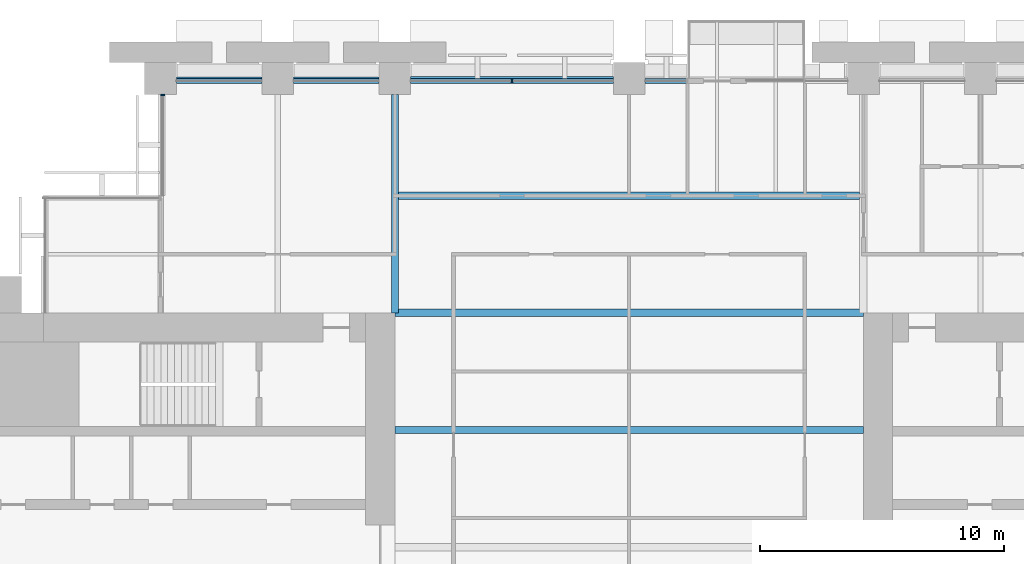
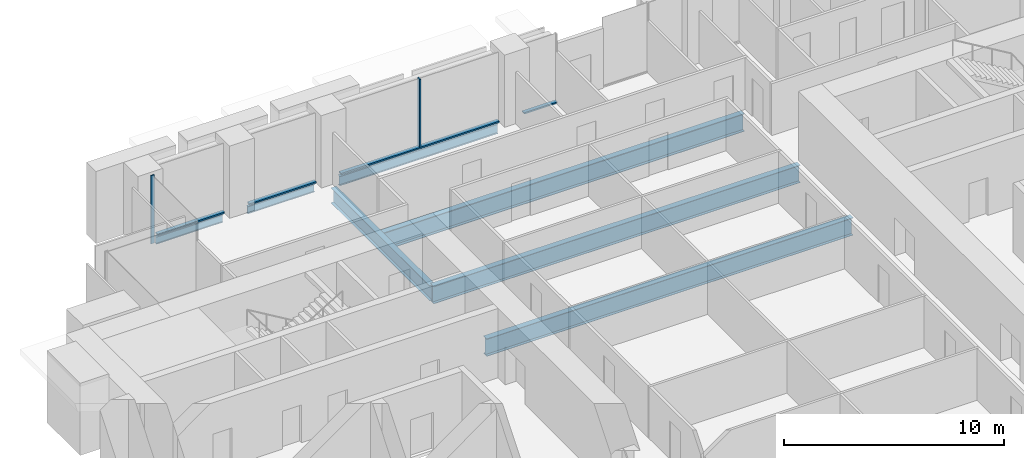
# One storey, part 6 of 15: 7 beams, 6 members, 2 elements without a shape of their own.
"""IFC4 building model written with IfcOpenShell, lengths in metres."""

from ifc_helpers import new_model, si_unit, direction, frame, origin, origin_2d, place, context, subcontext, project, spatial, rectangle, i_section, extrude, material, material_profile, profile_set, type_object, element, aggregate, save


model = new_model("IFC4")

# Units and contexts
model_context = context("Model", 3, precision=1e-05, world=origin(), true_north=direction((0.0, 1.0)))
body_context = subcontext(model_context, "Body", "Model", "MODEL_VIEW")
ifc_project = project(units=[si_unit("LENGTHUNIT", "METRE"), si_unit("AREAUNIT", "SQUARE_METRE"), si_unit("VOLUMEUNIT", "CUBIC_METRE"), si_unit("PLANEANGLEUNIT", "RADIAN"), si_unit("MASSUNIT", "GRAM", prefix="KILO")], contexts=[model_context])

# Site, building, storey
site_placement = place(None, origin())
site = spatial("IfcSite", under=ifc_project, at=site_placement, CompositionType="ELEMENT")
building_placement = place(site_placement, origin())
building = spatial("IfcBuilding", under=site, at=building_placement, Name="Baori Bourse Tower", CompositionType="ELEMENT")
storey_placement = place(building_placement, frame((0.0, 0.0, 59.0)))
storey = spatial("IfcBuildingStorey", under=building, at=storey_placement, Name="L12", CompositionType="ELEMENT", Elevation=59.0)

# Curtain wall, members
ifc_material_1 = material(Name="Pale anodised aluminium", Category="aluminium")
curtain_wall_type_1 = type_object("IfcCurtainWallType", Name="CW1 Curtain wall", PredefinedType="NOTDEFINED", material=ifc_material_1)
curtain_wall_1_placement = place(storey_placement, origin())
curtain_wall_1 = element("IfcCurtainWall", 1, at=curtain_wall_1_placement, inside=storey, type_object=curtain_wall_type_1, Name="Curtain wall CW1 L12 6", PredefinedType="NOTDEFINED")
ifc_material_2 = material(Name="Pale anodised aluminium", Category="aluminium")
ifc_material_profile_1 = material_profile(ifc_material_2, rectangle(XDim=0.199951171875, YDim=0.06005859375, at=origin_2d()), Name="Mullion 60x200")
ifc_profile_set_1 = profile_set([ifc_material_profile_1], Name="Pale anodised aluminium")
member_type_1 = type_object("IfcMemberType", Name="CW1 Curtain wall mullion", PredefinedType="MULLION", material=ifc_profile_set_1)
member_1_placement = place(storey_placement, frame((24.0, 47.89990234375, 0.080078125), z_axis=(0.0, 0.0, 1.0), x_axis=(0.0, -1.0, 0.0)))
member_1 = element("IfcMember", 2, at=member_1_placement, type_object=member_type_1, Name="Curtain wall CW1 mullion", PredefinedType="MULLION", context=body_context, shape_type="SweptSolid", body=[
    extrude(rectangle(XDim=0.199951171875, YDim=0.06005859375, at=origin_2d()), origin(), (0.0, 0.0, 1.0), 3.760009765625),
])
ifc_material_3 = material(Name="Pale anodised aluminium", Category="aluminium")
ifc_material_profile_2 = material_profile(ifc_material_3, rectangle(XDim=0.199951171875, YDim=0.080078125, at=origin_2d()), Name="Transom 80x200")
ifc_profile_set_2 = profile_set([ifc_material_profile_2], Name="Pale anodised aluminium")
member_type_2 = type_object("IfcMemberType", Name="CW1 Curtain wall transom", PredefinedType="USERDEFINED", material=ifc_profile_set_2)
member_2_placement = place(storey_placement, frame((31.199951171875, 47.89990234375, 0.0400390625), z_axis=(-1.0, 0.0, 0.0), x_axis=(0.0, -1.0, 0.0)))
member_2 = element("IfcMember", 3, at=member_2_placement, type_object=member_type_2, Name="Curtain wall CW1 sill rail", ObjectType="TRANSOM", PredefinedType="USERDEFINED", context=body_context, shape_type="SweptSolid", body=[
    extrude(rectangle(XDim=0.199951171875, YDim=0.080078125, at=origin_2d()), origin(), (0.0, 0.0, 1.0), 1.75),
])
member_3_placement = place(storey_placement, frame((28.14990234375, 47.89990234375, 0.0400390625), z_axis=(-1.0, 0.0, 0.0), x_axis=(0.0, -1.0, 0.0)))
member_3 = element("IfcMember", 4, at=member_3_placement, type_object=member_type_2, Name="Curtain wall CW1 sill rail", ObjectType="TRANSOM", PredefinedType="USERDEFINED", context=body_context, shape_type="SweptSolid", body=[
    extrude(rectangle(XDim=0.199951171875, YDim=0.080078125, at=origin_2d()), origin(), (0.0, 0.0, 1.0), 8.2998046875),
])
member_4_placement = place(storey_placement, frame((18.550048828125, 47.89990234375, 0.0400390625), z_axis=(-1.0, 0.0, 0.0), x_axis=(0.0, -1.0, 0.0)))
member_4 = element("IfcMember", 5, at=member_4_placement, type_object=member_type_2, Name="Curtain wall CW1 sill rail", ObjectType="TRANSOM", PredefinedType="USERDEFINED", context=body_context, shape_type="SweptSolid", body=[
    extrude(rectangle(XDim=0.199951171875, YDim=0.080078125, at=origin_2d()), origin(), (0.0, 0.0, 1.0), 3.5),
])
member_5_placement = place(storey_placement, frame((13.75, 47.89990234375, 0.0400390625), z_axis=(-1.0, 0.0, 0.0), x_axis=(0.0, -1.0, 0.0)))
member_5 = element("IfcMember", 6, at=member_5_placement, type_object=member_type_2, Name="Curtain wall CW1 sill rail", ObjectType="TRANSOM", PredefinedType="USERDEFINED", context=body_context, shape_type="SweptSolid", body=[
    extrude(rectangle(XDim=0.199951171875, YDim=0.080078125, at=origin_2d()), origin(), (0.0, 0.0, 1.0), 3.5),
])
aggregate(curtain_wall_1, [member_2, member_3, member_1, member_4, member_5])

# Curtain wall, member
ifc_material_4 = material(Name="Pale anodised aluminium", Category="aluminium")
curtain_wall_type_2 = type_object("IfcCurtainWallType", Name="CW2 Curtain wall", PredefinedType="NOTDEFINED", material=ifc_material_4)
curtain_wall_2_placement = place(storey_placement, origin())
curtain_wall_2 = element("IfcCurtainWall", 7, at=curtain_wall_2_placement, inside=storey, type_object=curtain_wall_type_2, Name="Curtain wall CW2 L12 7", PredefinedType="NOTDEFINED")
ifc_material_5 = material(Name="Pale anodised aluminium", Category="aluminium")
ifc_material_profile_3 = material_profile(ifc_material_5, rectangle(XDim=0.179931640625, YDim=0.054931640625, at=origin_2d()), Name="Mullion 55x180")
ifc_profile_set_3 = profile_set([ifc_material_profile_3], Name="Pale anodised aluminium")
member_type_3 = type_object("IfcMemberType", Name="CW2 Curtain wall mullion", PredefinedType="MULLION", material=ifc_profile_set_3)
member_6_placement = place(storey_placement, frame((9.68994140625, 47.322509765625, 0.070068359375), z_axis=(0.0, 0.0, 1.0), x_axis=(1.0, 0.0, 0.0)))
member_6 = element("IfcMember", 8, at=member_6_placement, type_object=member_type_3, Name="Curtain wall CW2 mullion", PredefinedType="MULLION", context=body_context, shape_type="SweptSolid", body=[
    extrude(rectangle(XDim=0.179931640625, YDim=0.054931640625, at=origin_2d()), origin(), (0.0, 0.0, 1.0), 3.77001953125),
])
aggregate(curtain_wall_2, [member_6])

# Beams
ifc_material_6 = material(Name="Steel A992 Gr 50", Category="steel")
ifc_material_profile_4 = material_profile(ifc_material_6, i_section(OverallWidth=0.140380859375, OverallDepth=0.40380859375, WebThickness=0.007080078125, FlangeThickness=0.01123046875, at=origin_2d()), Name="W16x31")
ifc_profile_set_4 = profile_set([ifc_material_profile_4], Name="Steel A992 Gr 50")
beam_type_1 = type_object("IfcBeamType", Name="Edge beam W16x31", PredefinedType="BEAM", material=ifc_profile_set_4)
for number, where, z_axis, x_axis, name in (
    (9, (10.25, 48.0, -0.36181640625), (1.0, 0.0, 0.0), (0.0, 1.0, 0.0), "Edge beam L12"),
    (10, (15.050048828125, 48.0, -0.36181640625), (1.0, 0.0, 0.0), (0.0, 1.0, 0.0), "Edge beam L12"),
):
    element("IfcBeam", number, at=place(storey_placement, frame(where, z_axis=z_axis, x_axis=x_axis)), inside=storey, type_object=beam_type_1, Name=name, PredefinedType="BEAM", context=body_context, shape_type="SweptSolid", body=[
        extrude(i_section(OverallWidth=0.140380859375, OverallDepth=0.40380859375, WebThickness=0.007080078125, FlangeThickness=0.01123046875, at=origin_2d()), origin(), (0.0, 0.0, 1.0), 3.5),
    ])
ifc_material_7 = material(Name="Steel A992 Gr 50", Category="steel")
ifc_material_profile_5 = material_profile(ifc_material_7, i_section(OverallWidth=0.1650390625, OverallDepth=0.52587890625, WebThickness=0.0087890625, FlangeThickness=0.011474609375, at=origin_2d()), Name="W21x44")
ifc_profile_set_5 = profile_set([ifc_material_profile_5], Name="Steel A992 Gr 50")
beam_type_2 = type_object("IfcBeamType", Name="Edge beam W21x44", PredefinedType="BEAM", material=ifc_profile_set_5)
beam_1_placement = place(storey_placement, frame((19.85009765625, 48.0, -0.4228515625), z_axis=(1.0, 0.0, 0.0), x_axis=(0.0, 1.0, 0.0)))
element("IfcBeam", 11, at=beam_1_placement, inside=storey, type_object=beam_type_2, Name="Edge beam L12", PredefinedType="BEAM", context=body_context, shape_type="SweptSolid", body=[
    extrude(i_section(OverallWidth=0.1650390625, OverallDepth=0.52587890625, WebThickness=0.0087890625, FlangeThickness=0.011474609375, at=origin_2d()), origin(), (0.0, 0.0, 1.0), 8.2998046875),
])
ifc_material_8 = material(Name="Steel A992 Gr 50", Category="steel")
ifc_material_profile_6 = material_profile(ifc_material_8, i_section(OverallWidth=0.2998046875, OverallDepth=0.97021484375, WebThickness=0.01611328125, FlangeThickness=0.02099609375, at=origin_2d()), Name="W40x149")
ifc_profile_set_6 = profile_set([ifc_material_profile_6], Name="Steel A992 Gr 50")
beam_type_3 = type_object("IfcBeamType", Name="Floor beam W40x149", PredefinedType="BEAM", material=ifc_profile_set_6)
for number, where, z_axis, x_axis, name in (
    (12, (19.199951171875, 33.60009765625, -0.64501953125), (1.0, 0.0, 0.0), (0.0, 1.0, 0.0), "Floor beam L12"),
    (13, (19.199951171875, 38.39990234375, -0.64501953125), (1.0, 0.0, 0.0), (0.0, 1.0, 0.0), "Floor beam L12"),
):
    element("IfcBeam", number, at=place(storey_placement, frame(where, z_axis=z_axis, x_axis=x_axis)), inside=storey, type_object=beam_type_3, Name=name, PredefinedType="BEAM", context=body_context, shape_type="SweptSolid", body=[
        extrude(i_section(OverallWidth=0.2998046875, OverallDepth=0.97021484375, WebThickness=0.01611328125, FlangeThickness=0.02099609375, at=origin_2d()), origin(), (0.0, 0.0, 1.0), 19.199951171875),
    ])
ifc_material_9 = material(Name="Steel A992 Gr 50", Category="steel")
ifc_material_profile_7 = material_profile(ifc_material_9, i_section(OverallWidth=0.2998046875, OverallDepth=0.990478515625, WebThickness=0.0166015625, FlangeThickness=0.030517578125, at=origin_2d()), Name="W40x183")
ifc_profile_set_7 = profile_set([ifc_material_profile_7], Name="Steel A992 Gr 50")
beam_type_4 = type_object("IfcBeamType", Name="Floor beam W40x183", PredefinedType="BEAM", material=ifc_profile_set_7)
beam_2_placement = place(storey_placement, frame((19.345947265625, 43.199951171875, -0.6552734375), z_axis=(1.0, 0.0, 0.0), x_axis=(0.0, 1.0, 0.0)))
element("IfcBeam", 14, at=beam_2_placement, inside=storey, type_object=beam_type_4, Name="Floor beam L12", PredefinedType="BEAM", context=body_context, shape_type="SweptSolid", body=[
    extrude(i_section(OverallWidth=0.2998046875, OverallDepth=0.990478515625, WebThickness=0.0166015625, FlangeThickness=0.030517578125, at=origin_2d()), origin(), (0.0, 0.0, 1.0), 18.901611328125),
])
ifc_material_10 = material(Name="Steel A992 Gr 50", Category="steel")
ifc_material_profile_8 = material_profile(ifc_material_10, i_section(OverallWidth=0.2919921875, OverallDepth=0.835693359375, WebThickness=0.013916015625, FlangeThickness=0.018798828125, at=origin_2d()), Name="W33x118")
ifc_profile_set_8 = profile_set([ifc_material_profile_8], Name="Steel A992 Gr 50")
beam_type_5 = type_object("IfcBeamType", Name="Girder W33x118", PredefinedType="BEAM", material=ifc_profile_set_8)
beam_3_placement = place(storey_placement, frame((19.199951171875, 38.39990234375, -0.577880859375), z_axis=(0.0, 1.0, 0.0), x_axis=(-1.0, 0.0, 0.0)))
element("IfcBeam", 15, at=beam_3_placement, inside=storey, type_object=beam_type_5, Name="Girder L12", PredefinedType="BEAM", context=body_context, shape_type="SweptSolid", body=[
    extrude(i_section(OverallWidth=0.2919921875, OverallDepth=0.835693359375, WebThickness=0.013916015625, FlangeThickness=0.018798828125, at=origin_2d()), origin(), (0.0, 0.0, 1.0), 8.9501953125),
])

save(model, "model.ifc")
